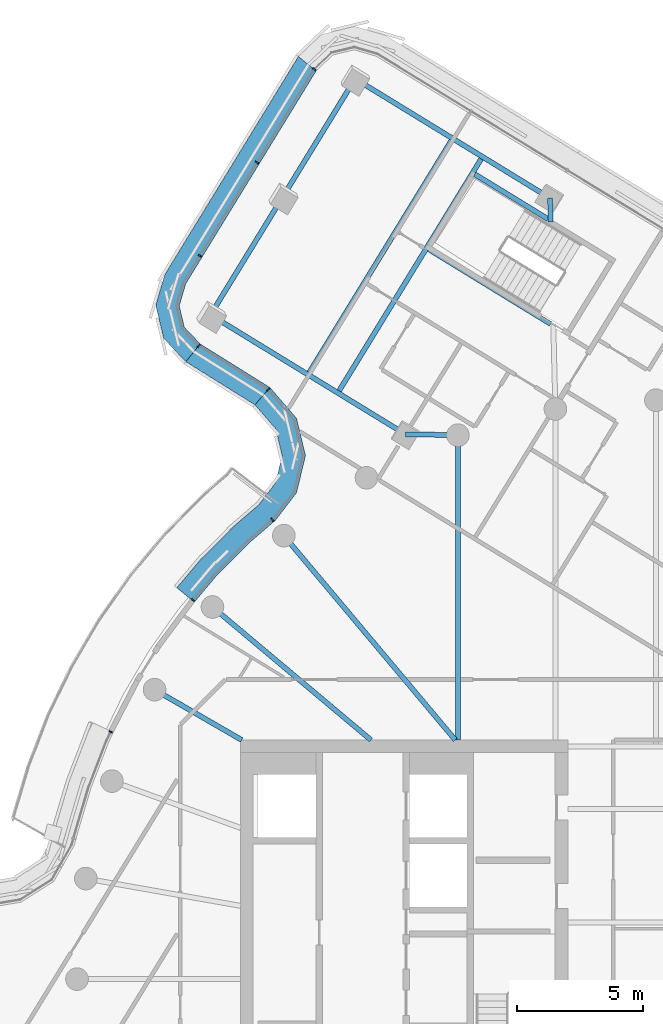
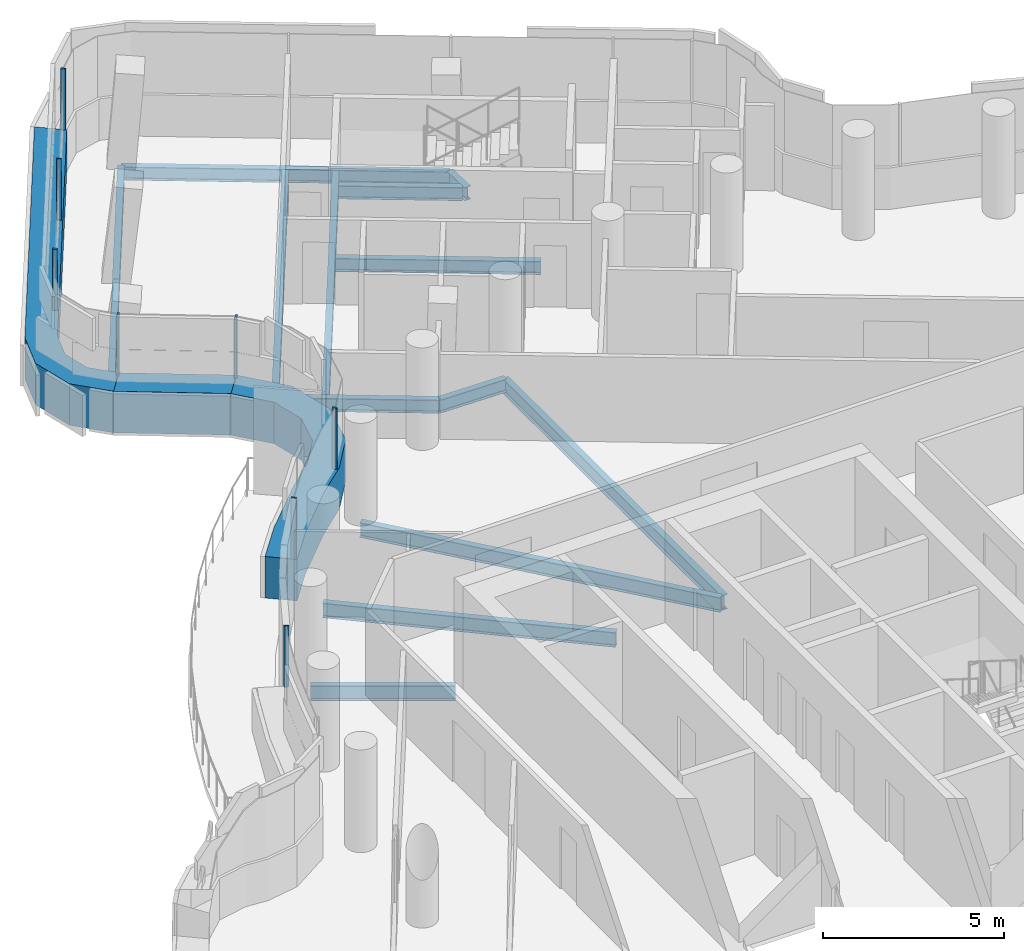
# One storey, part 9 of 27: 14 beams, 11 members, 3 elements without a shape of their own.
"""IFC4 building model written with IfcOpenShell, lengths in metres."""

from ifc_helpers import new_model, si_unit, direction, frame, origin, origin_2d, place, context, subcontext, project, spatial, polyline, rectangle, i_section, outline, extrude, material, layer, layer_set, material_profile, profile_set, type_object, element, aggregate, save


model = new_model("IFC4")

# Units and contexts
model_context = context("Model", 3, precision=1e-05, world=origin(), true_north=direction((0.0, 1.0)))
body_context = subcontext(model_context, "Body", "Model", "MODEL_VIEW")
ifc_project = project(units=[si_unit("LENGTHUNIT", "METRE"), si_unit("AREAUNIT", "SQUARE_METRE"), si_unit("VOLUMEUNIT", "CUBIC_METRE"), si_unit("PLANEANGLEUNIT", "RADIAN"), si_unit("MASSUNIT", "GRAM", prefix="KILO")], contexts=[model_context])

# Site, building, storey
site_placement = place(None, origin())
site = spatial("IfcSite", under=ifc_project, at=site_placement, CompositionType="ELEMENT")
building_placement = place(site_placement, origin())
building = spatial("IfcBuilding", under=site, at=building_placement, Name="Tamarind Cross Interchange Tower", CompositionType="ELEMENT")
storey_placement = place(building_placement, frame((0.0, 0.0, 245.10009765625)))
storey = spatial("IfcBuildingStorey", under=building, at=storey_placement, Name="L62", CompositionType="ELEMENT", Elevation=245.10009765625)

# Beams
ifc_material_1 = material(Name="Steel Q355B", Category="steel")
ifc_material_profile_1 = material_profile(ifc_material_1, i_section(OverallWidth=0.198974609375, OverallDepth=0.446044921875, WebThickness=0.008056640625, FlangeThickness=0.011962890625, FilletRadius=0.012939453125, at=origin_2d()), Name="HN 446x199x8x12")
ifc_profile_set_1 = profile_set([ifc_material_profile_1], Name="Steel Q355B")
beam_type_1 = type_object("IfcBeamType", Name="Composite beam HN 446x199x8x12 Q355B", PredefinedType="BEAM", material=ifc_profile_set_1)
for number, where, z_axis, x_axis, name in (
    (1, (-11.9501953125, 35.7705078125, -0.363037109375), (0.852720593809, -0.522367293093, 0.0), (0.522367293093, 0.852720593809, 0.0), "Beam N-edgeem4"),
    (2, (-17.6962890625, 26.390625, -0.363037109375), (0.852720593809, -0.522367293093, 0.0), (0.522367293093, 0.852720593809, 0.0), "Beam N-edgeep2"),
):
    element("IfcBeam", number, at=place(storey_placement, frame(where, z_axis=z_axis, x_axis=x_axis)), inside=storey, type_object=beam_type_1, Name=name, PredefinedType="BEAM", context=body_context, shape_type="SweptSolid", body=[
        extrude(i_section(OverallWidth=0.198974609375, OverallDepth=0.446044921875, WebThickness=0.008056640625, FlangeThickness=0.011962890625, FilletRadius=0.012939453125, at=origin_2d()), origin(), (0.0, 0.0, 1.0), 9.08349609375),
    ])
beam_1_placement = place(storey_placement, frame((-4.20458984375, 31.025634765625, -0.363037109375), z_axis=(0.025100979307, -0.999684920781, 0.0), x_axis=(0.999684920781, 0.025100979307, 0.0)))
element("IfcBeam", 3, at=beam_1_placement, inside=storey, type_object=beam_type_1, Name="Beam N-linkemt0", PredefinedType="BEAM", context=body_context, shape_type="SweptSolid", body=[
    extrude(i_section(OverallWidth=0.198974609375, OverallDepth=0.446044921875, WebThickness=0.008056640625, FlangeThickness=0.011962890625, FilletRadius=0.012939453125, at=origin_2d()), origin(), (0.0, 0.0, 1.0), 0.953125),
])
beam_2_placement = place(storey_placement, frame((-9.95068359375, 21.645751953125, -0.363037109375), z_axis=(0.999876834579, -0.01569444721, 0.0), x_axis=(0.01569444721, 0.999876834579, 0.0)))
element("IfcBeam", 4, at=beam_2_placement, inside=storey, type_object=beam_type_1, Name="Beam N-linkep", PredefinedType="BEAM", context=body_context, shape_type="SweptSolid", body=[
    extrude(i_section(OverallWidth=0.198974609375, OverallDepth=0.446044921875, WebThickness=0.008056640625, FlangeThickness=0.011962890625, FilletRadius=0.012939453125, at=origin_2d()), origin(), (0.0, 0.0, 1.0), 2.08447265625),
])
beam_3_placement = place(storey_placement, frame((-4.283203125, 30.1943359375, -0.363037109375), z_axis=(-0.852735721204, 0.522342598093, 0.0), x_axis=(-0.522342598093, -0.852735721204, 0.0)))
element("IfcBeam", 5, at=beam_3_placement, inside=storey, type_object=beam_type_1, Name="Beam N-tr0s1", PredefinedType="BEAM", context=body_context, shape_type="SweptSolid", body=[
    extrude(i_section(OverallWidth=0.198974609375, OverallDepth=0.446044921875, WebThickness=0.008056640625, FlangeThickness=0.011962890625, FilletRadius=0.012939453125, at=origin_2d()), origin(), (0.0, 0.0, 1.0), 3.41748046875),
])
beam_4_placement = place(storey_placement, frame((-4.17822265625, 26.025390625, -0.363037109375), z_axis=(-0.852712330935, 0.5223807813, 0.0), x_axis=(-0.5223807813, -0.852712330935, 0.0)))
element("IfcBeam", 6, at=beam_4_placement, inside=storey, type_object=beam_type_1, Name="Beam N-tr1s1", PredefinedType="BEAM", context=body_context, shape_type="SweptSolid", body=[
    extrude(i_section(OverallWidth=0.198974609375, OverallDepth=0.446044921875, WebThickness=0.008056640625, FlangeThickness=0.011962890625, FilletRadius=0.012939453125, at=origin_2d()), origin(), (0.0, 0.0, 1.0), 5.68505859375),
])
ifc_material_profile_2 = material_profile(ifc_material_1, i_section(OverallWidth=0.198974609375, OverallDepth=0.49609375, WebThickness=0.009033203125, FlangeThickness=0.013916015625, FilletRadius=0.012939453125, at=origin_2d()), Name="HN 496x199x9x14")
ifc_profile_set_2 = profile_set([ifc_material_profile_2], Name="Steel Q355B")
beam_type_2 = type_object("IfcBeamType", Name="Composite beam HN 496x199x9x14 Q355B", PredefinedType="BEAM", material=ifc_profile_set_2)
beam_5_placement = place(storey_placement, frame((-7.866455078125, 21.613037109375, -0.38818359375), z_axis=(0.0, -1.0, 0.0), x_axis=(1.0, 0.0, 0.0)))
element("IfcBeam", 7, at=beam_5_placement, inside=storey, type_object=beam_type_2, Name="Beam HH11", PredefinedType="BEAM", context=body_context, shape_type="SweptSolid", body=[
    extrude(i_section(OverallWidth=0.198974609375, OverallDepth=0.49609375, WebThickness=0.009033203125, FlangeThickness=0.013916015625, FilletRadius=0.012939453125, at=origin_2d()), origin(), (0.0, 0.0, 1.0), 12.113037109375),
])
beam_6_placement = place(storey_placement, frame((-14.7841796875, 17.619140625, -0.38818359375), z_axis=(0.642786293979, -0.766045547127, 0.0), x_axis=(0.766045547127, 0.642786293979, 0.0)))
element("IfcBeam", 8, at=beam_6_placement, inside=storey, type_object=beam_type_2, Name="Beam HH13", PredefinedType="BEAM", context=body_context, shape_type="SweptSolid", body=[
    extrude(i_section(OverallWidth=0.198974609375, OverallDepth=0.49609375, WebThickness=0.009033203125, FlangeThickness=0.013916015625, FilletRadius=0.012939453125, at=origin_2d()), origin(), (0.0, 0.0, 1.0), 10.598876953125),
])
beam_7_placement = place(storey_placement, frame((-17.619140625, 14.7841796875, -0.38818359375), z_axis=(0.766040580814, -0.642792212574, 0.0), x_axis=(0.642792212574, 0.766040580814, 0.0)))
element("IfcBeam", 9, at=beam_7_placement, inside=storey, type_object=beam_type_2, Name="Beam HH14", PredefinedType="BEAM", context=body_context, shape_type="SweptSolid", body=[
    extrude(i_section(OverallWidth=0.198974609375, OverallDepth=0.49609375, WebThickness=0.009033203125, FlangeThickness=0.013916015625, FilletRadius=0.012939453125, at=origin_2d()), origin(), (0.0, 0.0, 1.0), 8.220703125),
])
beam_8_placement = place(storey_placement, frame((-19.918701171875, 11.5, -0.38818359375), z_axis=(0.866026010844, -0.49999894854, 0.0), x_axis=(0.49999894854, 0.866026010844, 0.0)))
element("IfcBeam", 10, at=beam_8_placement, inside=storey, type_object=beam_type_2, Name="Beam HH15", PredefinedType="BEAM", context=body_context, shape_type="SweptSolid", body=[
    extrude(i_section(OverallWidth=0.198974609375, OverallDepth=0.49609375, WebThickness=0.009033203125, FlangeThickness=0.013916015625, FilletRadius=0.012939453125, at=origin_2d()), origin(), (0.0, 0.0, 1.0), 4.0),
])
ifc_material_profile_3 = material_profile(ifc_material_1, i_section(OverallWidth=0.198974609375, OverallDepth=0.595947265625, WebThickness=0.010009765625, FlangeThickness=0.014892578125, FilletRadius=0.012939453125, at=origin_2d()), Name="HN 596x199x10x15")
ifc_profile_set_3 = profile_set([ifc_material_profile_3], Name="Steel Q355B")
beam_type_3 = type_object("IfcBeamType", Name="Composite beam HN 596x199x10x15 Q355B", PredefinedType="BEAM", material=ifc_profile_set_3)
for number, where, z_axis, x_axis, name in (
    (11, (-11.9501953125, 35.7705078125, -0.43798828125), (-0.522372601683, -0.852717341803, 0.0), (0.852717341803, -0.522372601683, 0.0), "Beam N-tip0"),
    (12, (-14.8232421875, 31.08056640625, -0.43798828125), (-0.522372601683, -0.852717341803, 0.0), (0.852717341803, -0.522372601683, 0.0), "Beam N-tip1"),
):
    element("IfcBeam", number, at=place(storey_placement, frame(where, z_axis=z_axis, x_axis=x_axis)), inside=storey, type_object=beam_type_3, Name=name, PredefinedType="BEAM", context=body_context, shape_type="SweptSolid", body=[
        extrude(i_section(OverallWidth=0.198974609375, OverallDepth=0.595947265625, WebThickness=0.010009765625, FlangeThickness=0.014892578125, FilletRadius=0.012939453125, at=origin_2d()), origin(), (0.0, 0.0, 1.0), 5.5),
    ])
for number, where, z_axis, x_axis, name in (
    (13, (-6.890625, 32.671142578125, -0.43798828125), (-0.522372601683, -0.852717341803, 0.0), (0.852717341803, -0.522372601683, 0.0), "Beam N-x334"),
    (14, (-8.077392578125, 33.39794921875, -0.43798828125), (-0.522372601683, -0.852717341803, 0.0), (0.852717341803, -0.522372601683, 0.0), "Beam N-x348"),
):
    element("IfcBeam", number, at=place(storey_placement, frame(where, z_axis=z_axis, x_axis=x_axis)), inside=storey, type_object=beam_type_3, Name=name, PredefinedType="BEAM", context=body_context, shape_type="SweptSolid", body=[
        extrude(i_section(OverallWidth=0.198974609375, OverallDepth=0.595947265625, WebThickness=0.010009765625, FlangeThickness=0.014892578125, FilletRadius=0.012939453125, at=origin_2d()), origin(), (0.0, 0.0, 1.0), 11.0),
    ])

# Curtain wall, member
ifc_material_2 = material(Name="Aluminium 6063-T6", Category="aluminium")
ifc_layer = layer(ifc_material_2, 0.139892578125)
ifc_layer_set = layer_set([ifc_layer], Name="Aluminium 6063-T6")
curtain_wall_type = type_object("IfcCurtainWallType", Name="Hotel curtain wall, 4.5 m bays", PredefinedType="NOTDEFINED", material=ifc_layer_set)
curtain_wall_1_placement = place(storey_placement, origin())
curtain_wall_1 = element("IfcCurtainWall", 15, at=curtain_wall_1_placement, inside=storey, type_object=curtain_wall_type, Name="CWS-L62-00", PredefinedType="NOTDEFINED")
ifc_material_3 = material(Name="Aluminium and insulated spandrel panel", Category="aluminium")
member_type_1 = type_object("IfcMemberType", Name="Floor-edge blade transom", PredefinedType="USERDEFINED", material=ifc_material_3)
member_1_placement = place(storey_placement, origin())
member_1 = element("IfcMember", 16, at=member_1_placement, type_object=member_type_1, Name="CWT-L62-00", ObjectType="TRANSOM", PredefinedType="USERDEFINED", context=body_context, shape_type="SweptSolid", body=[
    extrude(outline(polyline([(-13.498291015625, 36.086181640625), (-18.6806640625, 27.626220703125), (-18.9404296875, 26.74853515625), (-18.736328125, 25.898193359375), (-18.105224609375, 25.2333984375), (-18.678955078125, 24.53076171875), (-19.554931640625, 25.45361328125), (-19.8720703125, 26.77294921875), (-19.510009765625, 27.995361328125), (-14.203857421875, 36.6572265625), (-13.498291015625, 36.086181640625)])), origin(), (0.0, 0.0, 1.0), 1.39990234375),
])

curtain_wall_2_placement = place(storey_placement, origin())
curtain_wall_2 = element("IfcCurtainWall", 17, at=curtain_wall_2_placement, inside=storey, type_object=curtain_wall_type, Name="CWS-L62-01", PredefinedType="NOTDEFINED")
member_2_placement = place(storey_placement, origin())
member_2 = element("IfcMember", 18, at=member_2_placement, type_object=member_type_1, Name="CWT-L62-01", ObjectType="TRANSOM", PredefinedType="USERDEFINED", context=body_context, shape_type="SweptSolid", body=[
    extrude(outline(polyline([(-18.105224609375, 25.2333984375), (-15.337646484375, 23.505615234375), (-15.929443359375, 22.81396484375), (-18.678955078125, 24.53076171875), (-18.105224609375, 25.2333984375)])), origin(), (0.0, 0.0, 1.0), 1.39990234375),
])

curtain_wall_3_placement = place(storey_placement, origin())
curtain_wall_3 = element("IfcCurtainWall", 19, at=curtain_wall_3_placement, inside=storey, type_object=curtain_wall_type, Name="CWS-L62-02", PredefinedType="NOTDEFINED")
member_3_placement = place(storey_placement, origin())
member_3 = element("IfcMember", 20, at=member_3_placement, type_object=member_type_1, Name="CWT-L62-02-0", ObjectType="TRANSOM", PredefinedType="USERDEFINED", context=body_context, shape_type="SweptSolid", body=[
    extrude(outline(polyline([(-15.337646484375, 23.505615234375), (-14.2783203125, 22.28076171875), (-13.92333984375, 20.795166015625), (-14.281005859375, 19.3203125), (-15.11767578125, 18.2275390625), (-16.123291015625, 17.364501953125), (-17.50244140625, 15.973388671875), (-18.338134765625, 14.978271484375), (-19.03515625, 15.547607421875), (-18.167724609375, 16.580810546875), (-16.73681640625, 18.02392578125), (-15.775146484375, 18.849365234375), (-15.11083984375, 19.716796875), (-14.84912109375, 20.796630859375), (-15.102783203125, 21.858154296875), (-15.929443359375, 22.81396484375), (-15.337646484375, 23.505615234375)])), origin(), (0.0, 0.0, 1.0), 1.39990234375),
])

# Member
ifc_material_profile_4 = material_profile(ifc_material_2, rectangle(XDim=0.06005859375, YDim=0.139892578125, at=origin_2d()), Name="Mullion CW2")
ifc_profile_set_4 = profile_set([ifc_material_profile_4], Name="Aluminium 6063-T6")
member_type_2 = type_object("IfcMemberType", Name="Mullion CW2", PredefinedType="MULLION", material=ifc_profile_set_4)
member_4_placement = place(storey_placement, frame((-13.57666015625, 36.149658203125, 1.39990234375), z_axis=(0.0, 0.0, 1.0), x_axis=(-0.629201022577, -0.777242608964, 0.0)))
member_4 = element("IfcMember", 21, at=member_4_placement, type_object=member_type_2, Name="CWM-L62-00-00", PredefinedType="MULLION", context=body_context, shape_type="SweptSolid", body=[
    extrude(rectangle(XDim=0.06005859375, YDim=0.139892578125, at=origin_2d()), origin(), (0.0, 0.0, 1.0), 2.06005859375),
])

member_5_placement = place(storey_placement, frame((-15.8466796875, 32.444091796875, 1.39990234375), z_axis=(0.0, 0.0, 1.0), x_axis=(-0.522367602426, -0.852720404316, 0.0)))
member_5 = element("IfcMember", 22, at=member_5_placement, type_object=member_type_2, Name="CWM-L62-00-01", PredefinedType="MULLION", context=body_context, shape_type="SweptSolid", body=[
    extrude(rectangle(XDim=0.06005859375, YDim=0.139892578125, at=origin_2d()), origin(), (0.0, 0.0, 1.0), 2.06005859375),
])

member_6_placement = place(storey_placement, frame((-18.11669921875, 28.738525390625, 1.39990234375), z_axis=(0.0, 0.0, 1.0), x_axis=(-0.522367602426, -0.852720404316, 0.0)))
member_6 = element("IfcMember", 23, at=member_6_placement, type_object=member_type_2, Name="CWM-L62-00-02", PredefinedType="MULLION", context=body_context, shape_type="SweptSolid", body=[
    extrude(rectangle(XDim=0.06005859375, YDim=0.139892578125, at=origin_2d()), origin(), (0.0, 0.0, 1.0), 2.06005859375),
])

aggregate(curtain_wall_1, [member_4, member_5, member_6, member_1])

member_7_placement = place(storey_placement, frame((-18.1689453125, 25.1552734375, 1.39990234375), z_axis=(0.0, 0.0, 1.0), x_axis=(0.774562860958, -0.632496936296, 0.0)))
member_7 = element("IfcMember", 24, at=member_7_placement, type_object=member_type_2, Name="CWM-L62-01-00", PredefinedType="MULLION", context=body_context, shape_type="SweptSolid", body=[
    extrude(rectangle(XDim=0.06005859375, YDim=0.139892578125, at=origin_2d()), origin(), (0.0, 0.0, 1.0), 2.06005859375),
])

aggregate(curtain_wall_2, [member_7, member_2])

member_8_placement = place(storey_placement, frame((-15.4033203125, 23.4287109375, 1.39990234375), z_axis=(0.0, 0.0, 1.0), x_axis=(0.759700705017, -0.650272895634, 0.0)))
member_8 = element("IfcMember", 25, at=member_8_placement, type_object=member_type_2, Name="CWM-L62-02-00", PredefinedType="MULLION", context=body_context, shape_type="SweptSolid", body=[
    extrude(rectangle(XDim=0.06005859375, YDim=0.139892578125, at=origin_2d()), origin(), (0.0, 0.0, 1.0), 2.06005859375),
])

member_9_placement = place(storey_placement, frame((-15.24462890625, 18.25048828125, 1.39990234375), z_axis=(0.0, 0.0, 1.0), x_axis=(-0.758843907099, -0.651272542534, 0.0)))
member_9 = element("IfcMember", 26, at=member_9_placement, type_object=member_type_2, Name="CWM-L62-02-01", PredefinedType="MULLION", context=body_context, shape_type="SweptSolid", body=[
    extrude(rectangle(XDim=0.06005859375, YDim=0.139892578125, at=origin_2d()), origin(), (0.0, 0.0, 1.0), 2.06005859375),
])

member_10_placement = place(storey_placement, frame((-18.396484375, 15.064208984375, 1.39990234375), z_axis=(0.0, 0.0, 1.0), x_axis=(-0.643009266048, -0.765858396687, 0.0)))
member_10 = element("IfcMember", 27, at=member_10_placement, type_object=member_type_2, Name="CWM-L62-02-02", PredefinedType="MULLION", context=body_context, shape_type="SweptSolid", body=[
    extrude(rectangle(XDim=0.06005859375, YDim=0.139892578125, at=origin_2d()), origin(), (0.0, 0.0, 1.0), 2.06005859375),
])

member_11_placement = place(storey_placement, frame((-21.65869140625, 9.823974609375, 1.39990234375), z_axis=(0.0, 0.0, 1.0), x_axis=(-0.435326231914, -0.900272776334, 0.0)))
member_11 = element("IfcMember", 28, at=member_11_placement, type_object=member_type_2, Name="CWM-L62-02-03", PredefinedType="MULLION", context=body_context, shape_type="SweptSolid", body=[
    extrude(rectangle(XDim=0.06005859375, YDim=0.139892578125, at=origin_2d()), origin(), (0.0, 0.0, 1.0), 2.06005859375),
])

aggregate(curtain_wall_3, [member_8, member_9, member_10, member_11, member_3])

save(model, "model.ifc")
